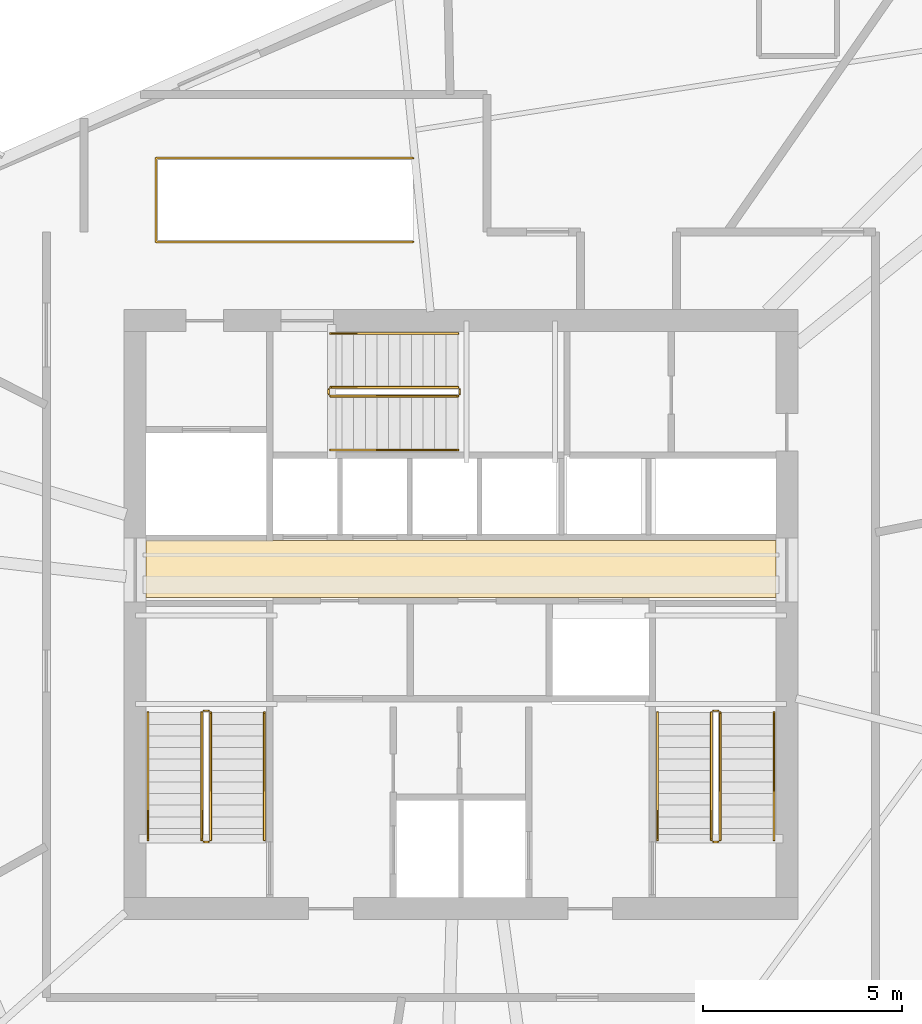
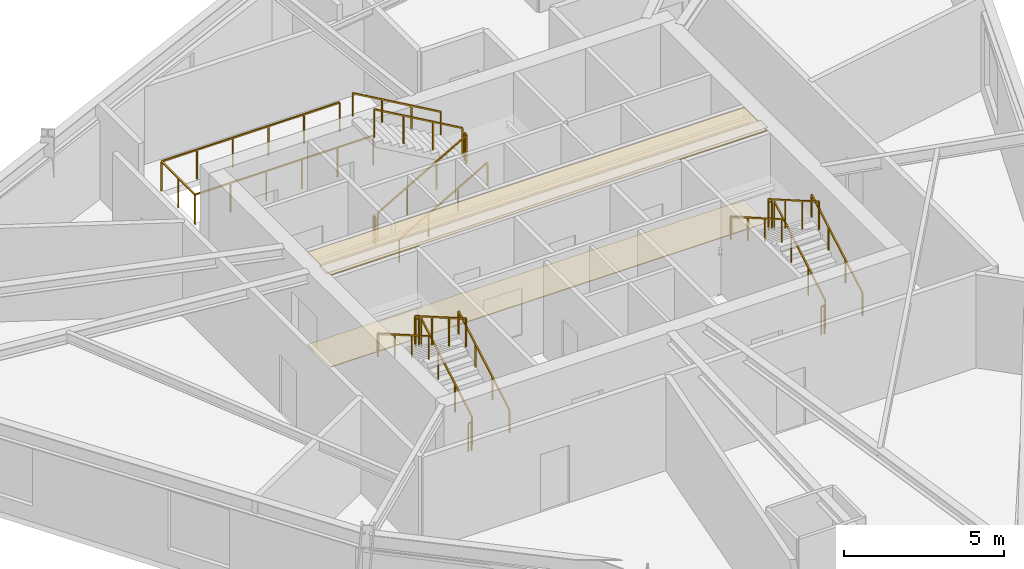
# One storey, part 13 of 13: 19 railings, 2 coverings.
"""IFC4 building model written with IfcOpenShell, lengths in metres."""

from ifc_helpers import new_model, si_unit, direction, frame, origin, origin_2d, place, context, subcontext, project, spatial, polyline, rectangle, outline, extrude, material, layer, layer_set, type_object, element, save


model = new_model("IFC4")

# Units and contexts
model_context = context("Model", 3, precision=1e-05, world=origin(), true_north=direction((0.0, 1.0)))
body_context = subcontext(model_context, "Body", "Model", "MODEL_VIEW")
ifc_project = project(units=[si_unit("LENGTHUNIT", "METRE"), si_unit("AREAUNIT", "SQUARE_METRE"), si_unit("VOLUMEUNIT", "CUBIC_METRE"), si_unit("PLANEANGLEUNIT", "RADIAN"), si_unit("MASSUNIT", "GRAM", prefix="KILO")], contexts=[model_context])

# Site, building, storey
site_placement = place(None, origin())
site = spatial("IfcSite", under=ifc_project, at=site_placement, CompositionType="ELEMENT")
building_placement = place(site_placement, origin())
building = spatial("IfcBuilding", under=site, at=building_placement, Name="Olszyna Solenne Hotel", CompositionType="ELEMENT")
storey_placement = place(building_placement, frame((0.0, 0.0, 200.300048828125)))
storey = spatial("IfcBuildingStorey", under=building, at=storey_placement, Name="L53", CompositionType="ELEMENT", Elevation=200.300048828125)

# Coverings
ifc_material_1 = material(Name="Mineral wool acoustic ceiling")
ifc_layer_1 = layer(ifc_material_1, 0.0400390625, Name="Mineral wool acoustic ceiling")
ifc_layer_set_1 = layer_set([ifc_layer_1], Name="Mineral wool acoustic ceiling")
covering_type_1 = type_object("IfcCoveringType", Name="CL-AC1", PredefinedType="CEILING", material=ifc_layer_set_1)
covering_1_placement = place(storey_placement, frame((0.0, 0.0, 3.52001953125)))
element("IfcCovering", 1, at=covering_1_placement, inside=storey, type_object=covering_type_1, Name="Lift lobby acoustic tile ceiling CL-L53-01", PredefinedType="CEILING", context=body_context, shape_type="SweptSolid", body=[
    extrude(outline(polyline([(30.10009765625, 27.030029296875), (45.89990234375, 27.030029296875), (45.89990234375, 28.4599609375), (30.10009765625, 28.4599609375), (30.10009765625, 27.030029296875)])), origin(), (0.0, 0.0, 1.0), 0.0400390625),
])
ifc_material_2 = material(Name="Ceramic floor tile")
ifc_layer_2 = layer(ifc_material_2, 0.030029296875, Name="Ceramic floor tile")
ifc_layer_set_2 = layer_set([ifc_layer_2], Name="Ceramic floor tile")
covering_type_2 = type_object("IfcCoveringType", Name="FL-TL1", PredefinedType="FLOORING", material=ifc_layer_set_2)
covering_2_placement = place(storey_placement, origin())
element("IfcCovering", 2, at=covering_2_placement, inside=storey, type_object=covering_type_2, Name="Lift lobby stoneware floor finish FLR-L53-01", PredefinedType="FLOORING", context=body_context, shape_type="SweptSolid", body=[
    extrude(outline(polyline([(30.10009765625, 27.030029296875), (45.89990234375, 27.030029296875), (45.89990234375, 28.4599609375), (30.10009765625, 28.4599609375), (30.10009765625, 27.030029296875)])), origin(), (0.0, 0.0, 1.0), 0.030029296875),
])

# Railings
ifc_material_3 = material(Name="Anodised bronze aluminium", Category="aluminium")
railing_type_1 = type_object("IfcRailingType", Name="GR-110", PredefinedType="BALUSTRADE", material=ifc_material_3)
railing_1_placement = place(storey_placement, frame((31.719970703125, 20.949951171875, 0.16650390625)))
element("IfcRailing", 3, at=railing_1_placement, inside=storey, type_object=railing_type_1, Name="L53 ST1 stair guard 1", PredefinedType="BALUSTRADE", context=body_context, shape_type="SweptSolid", body=[
    extrude(rectangle(XDim=0.048095703125, YDim=0.048095703125, at=origin_2d()), frame((0.0, 0.0, 1.076171875), z_axis=(0.0, 0.86699087805, 0.498324008431), x_axis=(-1.0, 0.0, 0.0)), (0.0, 0.0, 1.0), 3.679443359375),
    extrude(rectangle(XDim=0.0419921875, YDim=0.0419921875, at=origin_2d()), origin(), (0.0, 0.0, 1.0), 1.052001953125),
    extrude(rectangle(XDim=0.0419921875, YDim=0.0419921875, at=origin_2d()), frame((0.0, 1.063232421875, 0.611083984375)), (0.0, 0.0, 1.0), 1.052001953125),
    extrude(rectangle(XDim=0.0419921875, YDim=0.0419921875, at=origin_2d()), frame((0.0, 2.126708984375, 1.222412109375)), (0.0, 0.0, 1.0), 1.052001953125),
    extrude(rectangle(XDim=0.0419921875, YDim=0.0419921875, at=origin_2d()), frame((0.0, 3.18994140625, 1.83349609375)), (0.0, 0.0, 1.0), 1.052001953125),
])
railing_2_placement = place(storey_placement, frame((31.669921875, 24.18994140625, 2.0)))
element("IfcRailing", 4, at=railing_2_placement, inside=storey, type_object=railing_type_1, Name="L53 ST1 stair guard 2", PredefinedType="BALUSTRADE", context=body_context, shape_type="SweptSolid", body=[
    extrude(rectangle(XDim=0.048095703125, YDim=0.048095703125, at=origin_2d()), frame((0.0, 0.0, 1.076171875), z_axis=(-1.0, 0.0, 0.0), x_axis=(0.0, -1.0, 0.0)), (0.0, 0.0, 1.0), 0.119873046875),
    extrude(rectangle(XDim=0.0419921875, YDim=0.0419921875, at=origin_2d()), origin(), (0.0, 0.0, 1.0), 1.052001953125),
    extrude(rectangle(XDim=0.0419921875, YDim=0.0419921875, at=origin_2d()), frame((-0.119873046875, 0.0, 0.0)), (0.0, 0.0, 1.0), 1.052001953125),
])
railing_3_placement = place(storey_placement, frame((31.5, 24.139892578125, 2.16650390625)))
element("IfcRailing", 5, at=railing_3_placement, inside=storey, type_object=railing_type_1, Name="L53 ST1 stair guard 3", PredefinedType="BALUSTRADE", context=body_context, shape_type="SweptSolid", body=[
    extrude(rectangle(XDim=0.048095703125, YDim=0.048095703125, at=origin_2d()), frame((0.0, 0.0, 1.076171875), z_axis=(0.0, -0.86699087805, 0.498324008431), x_axis=(1.0, 0.0, 0.0)), (0.0, 0.0, 1.0), 3.679443359375),
    extrude(rectangle(XDim=0.0419921875, YDim=0.0419921875, at=origin_2d()), origin(), (0.0, 0.0, 1.0), 1.052001953125),
    extrude(rectangle(XDim=0.0419921875, YDim=0.0419921875, at=origin_2d()), frame((0.0, -1.063232421875, 0.611083984375)), (0.0, 0.0, 1.0), 1.052001953125),
    extrude(rectangle(XDim=0.0419921875, YDim=0.0419921875, at=origin_2d()), frame((0.0, -2.126708984375, 1.222412109375)), (0.0, 0.0, 1.0), 1.052001953125),
    extrude(rectangle(XDim=0.0419921875, YDim=0.0419921875, at=origin_2d()), frame((0.0, -3.18994140625, 1.83349609375)), (0.0, 0.0, 1.0), 1.052001953125),
])
railing_4_placement = place(storey_placement, frame((31.669921875, 20.89990234375, 0.0)))
element("IfcRailing", 6, at=railing_4_placement, inside=storey, type_object=railing_type_1, Name="L53 ST1 stair guard 4", PredefinedType="BALUSTRADE", context=body_context, shape_type="SweptSolid", body=[
    extrude(rectangle(XDim=0.048095703125, YDim=0.048095703125, at=origin_2d()), frame((0.0, 0.0, 1.076171875), z_axis=(-1.0, 0.0, 0.0), x_axis=(0.0, -1.0, 0.0)), (0.0, 0.0, 1.0), 0.119873046875),
    extrude(rectangle(XDim=0.0419921875, YDim=0.0419921875, at=origin_2d()), origin(), (0.0, 0.0, 1.0), 1.052001953125),
    extrude(rectangle(XDim=0.0419921875, YDim=0.0419921875, at=origin_2d()), frame((-0.119873046875, 0.0, 0.0)), (0.0, 0.0, 1.0), 1.052001953125),
])
railing_5_placement = place(storey_placement, frame((44.5, 20.949951171875, 0.16650390625)))
element("IfcRailing", 7, at=railing_5_placement, inside=storey, type_object=railing_type_1, Name="L53 ST2 stair guard 1", PredefinedType="BALUSTRADE", context=body_context, shape_type="SweptSolid", body=[
    extrude(rectangle(XDim=0.048095703125, YDim=0.048095703125, at=origin_2d()), frame((0.0, 0.0, 1.076171875), z_axis=(0.0, 0.86699087805, 0.498324008431), x_axis=(-1.0, 0.0, 0.0)), (0.0, 0.0, 1.0), 3.679443359375),
    extrude(rectangle(XDim=0.0419921875, YDim=0.0419921875, at=origin_2d()), origin(), (0.0, 0.0, 1.0), 1.052001953125),
    extrude(rectangle(XDim=0.0419921875, YDim=0.0419921875, at=origin_2d()), frame((0.0, 1.063232421875, 0.611083984375)), (0.0, 0.0, 1.0), 1.052001953125),
    extrude(rectangle(XDim=0.0419921875, YDim=0.0419921875, at=origin_2d()), frame((0.0, 2.126708984375, 1.222412109375)), (0.0, 0.0, 1.0), 1.052001953125),
    extrude(rectangle(XDim=0.0419921875, YDim=0.0419921875, at=origin_2d()), frame((0.0, 3.18994140625, 1.83349609375)), (0.0, 0.0, 1.0), 1.052001953125),
])
railing_6_placement = place(storey_placement, frame((44.449951171875, 24.18994140625, 2.0)))
element("IfcRailing", 8, at=railing_6_placement, inside=storey, type_object=railing_type_1, Name="L53 ST2 stair guard 2", PredefinedType="BALUSTRADE", context=body_context, shape_type="SweptSolid", body=[
    extrude(rectangle(XDim=0.048095703125, YDim=0.048095703125, at=origin_2d()), frame((0.0, 0.0, 1.076171875), z_axis=(-1.0, 0.0, 0.0), x_axis=(0.0, -1.0, 0.0)), (0.0, 0.0, 1.0), 0.119873046875),
    extrude(rectangle(XDim=0.0419921875, YDim=0.0419921875, at=origin_2d()), origin(), (0.0, 0.0, 1.0), 1.052001953125),
    extrude(rectangle(XDim=0.0419921875, YDim=0.0419921875, at=origin_2d()), frame((-0.119873046875, 0.0, 0.0)), (0.0, 0.0, 1.0), 1.052001953125),
])
railing_7_placement = place(storey_placement, frame((44.280029296875, 24.139892578125, 2.16650390625)))
element("IfcRailing", 9, at=railing_7_placement, inside=storey, type_object=railing_type_1, Name="L53 ST2 stair guard 3", PredefinedType="BALUSTRADE", context=body_context, shape_type="SweptSolid", body=[
    extrude(rectangle(XDim=0.048095703125, YDim=0.048095703125, at=origin_2d()), frame((0.0, 0.0, 1.076171875), z_axis=(0.0, -0.86699087805, 0.498324008431), x_axis=(1.0, 0.0, 0.0)), (0.0, 0.0, 1.0), 3.679443359375),
    extrude(rectangle(XDim=0.0419921875, YDim=0.0419921875, at=origin_2d()), origin(), (0.0, 0.0, 1.0), 1.052001953125),
    extrude(rectangle(XDim=0.0419921875, YDim=0.0419921875, at=origin_2d()), frame((0.0, -1.063232421875, 0.611083984375)), (0.0, 0.0, 1.0), 1.052001953125),
    extrude(rectangle(XDim=0.0419921875, YDim=0.0419921875, at=origin_2d()), frame((0.0, -2.126708984375, 1.222412109375)), (0.0, 0.0, 1.0), 1.052001953125),
    extrude(rectangle(XDim=0.0419921875, YDim=0.0419921875, at=origin_2d()), frame((0.0, -3.18994140625, 1.83349609375)), (0.0, 0.0, 1.0), 1.052001953125),
])
railing_8_placement = place(storey_placement, frame((44.449951171875, 20.89990234375, 0.0)))
element("IfcRailing", 10, at=railing_8_placement, inside=storey, type_object=railing_type_1, Name="L53 ST2 stair guard 4", PredefinedType="BALUSTRADE", context=body_context, shape_type="SweptSolid", body=[
    extrude(rectangle(XDim=0.048095703125, YDim=0.048095703125, at=origin_2d()), frame((0.0, 0.0, 1.076171875), z_axis=(-1.0, 0.0, 0.0), x_axis=(0.0, -1.0, 0.0)), (0.0, 0.0, 1.0), 0.119873046875),
    extrude(rectangle(XDim=0.0419921875, YDim=0.0419921875, at=origin_2d()), origin(), (0.0, 0.0, 1.0), 1.052001953125),
    extrude(rectangle(XDim=0.0419921875, YDim=0.0419921875, at=origin_2d()), frame((-0.119873046875, 0.0, 0.0)), (0.0, 0.0, 1.0), 1.052001953125),
])
railing_9_placement = place(storey_placement, frame((34.72998046875, 32.080078125, 0.16650390625)))
element("IfcRailing", 11, at=railing_9_placement, inside=storey, type_object=railing_type_1, Name="L53 ST3 stair guard 1", PredefinedType="BALUSTRADE", context=body_context, shape_type="SweptSolid", body=[
    extrude(rectangle(XDim=0.048095703125, YDim=0.048095703125, at=origin_2d()), frame((0.0, 0.0, 1.076171875), z_axis=(0.86699087805, 0.0, 0.498324008431), x_axis=(0.0, 1.0, 0.0)), (0.0, 0.0, 1.0), 3.679443359375),
    extrude(rectangle(XDim=0.0419921875, YDim=0.0419921875, at=origin_2d()), origin(), (0.0, 0.0, 1.0), 1.052001953125),
    extrude(rectangle(XDim=0.0419921875, YDim=0.0419921875, at=origin_2d()), frame((1.063232421875, 0.0, 0.611083984375)), (0.0, 0.0, 1.0), 1.052001953125),
    extrude(rectangle(XDim=0.0419921875, YDim=0.0419921875, at=origin_2d()), frame((2.126708984375, 0.0, 1.222412109375)), (0.0, 0.0, 1.0), 1.052001953125),
    extrude(rectangle(XDim=0.0419921875, YDim=0.0419921875, at=origin_2d()), frame((3.18994140625, 0.0, 1.83349609375)), (0.0, 0.0, 1.0), 1.052001953125),
])
railing_10_placement = place(storey_placement, frame((37.969970703125, 32.1298828125, 2.0)))
element("IfcRailing", 12, at=railing_10_placement, inside=storey, type_object=railing_type_1, Name="L53 ST3 stair guard 2", PredefinedType="BALUSTRADE", context=body_context, shape_type="SweptSolid", body=[
    extrude(rectangle(XDim=0.048095703125, YDim=0.048095703125, at=origin_2d()), frame((0.0, 0.0, 1.076171875), z_axis=(0.0, 1.0, 0.0), x_axis=(-1.0, 0.0, 0.0)), (0.0, 0.0, 1.0), 0.1201171875),
    extrude(rectangle(XDim=0.0419921875, YDim=0.0419921875, at=origin_2d()), origin(), (0.0, 0.0, 1.0), 1.052001953125),
    extrude(rectangle(XDim=0.0419921875, YDim=0.0419921875, at=origin_2d()), frame((0.0, 0.1201171875, 0.0)), (0.0, 0.0, 1.0), 1.052001953125),
])
railing_11_placement = place(storey_placement, frame((37.919921875, 32.300048828125, 2.16650390625)))
element("IfcRailing", 13, at=railing_11_placement, inside=storey, type_object=railing_type_1, Name="L53 ST3 stair guard 3", PredefinedType="BALUSTRADE", context=body_context, shape_type="SweptSolid", body=[
    extrude(rectangle(XDim=0.048095703125, YDim=0.048095703125, at=origin_2d()), frame((0.0, 0.0, 1.076171875), z_axis=(-0.86699087805, 0.0, 0.498324008431), x_axis=(0.0, -1.0, 0.0)), (0.0, 0.0, 1.0), 3.679443359375),
    extrude(rectangle(XDim=0.0419921875, YDim=0.0419921875, at=origin_2d()), origin(), (0.0, 0.0, 1.0), 1.052001953125),
    extrude(rectangle(XDim=0.0419921875, YDim=0.0419921875, at=origin_2d()), frame((-1.063232421875, 0.0, 0.611083984375)), (0.0, 0.0, 1.0), 1.052001953125),
    extrude(rectangle(XDim=0.0419921875, YDim=0.0419921875, at=origin_2d()), frame((-2.126708984375, 0.0, 1.222412109375)), (0.0, 0.0, 1.0), 1.052001953125),
    extrude(rectangle(XDim=0.0419921875, YDim=0.0419921875, at=origin_2d()), frame((-3.18994140625, 0.0, 1.83349609375)), (0.0, 0.0, 1.0), 1.052001953125),
])
railing_12_placement = place(storey_placement, frame((34.679931640625, 32.1298828125, 0.0)))
element("IfcRailing", 14, at=railing_12_placement, inside=storey, type_object=railing_type_1, Name="L53 ST3 stair guard 4", PredefinedType="BALUSTRADE", context=body_context, shape_type="SweptSolid", body=[
    extrude(rectangle(XDim=0.048095703125, YDim=0.048095703125, at=origin_2d()), frame((0.0, 0.0, 1.076171875), z_axis=(0.0, 1.0, 0.0), x_axis=(-1.0, 0.0, 0.0)), (0.0, 0.0, 1.0), 0.1201171875),
    extrude(rectangle(XDim=0.0419921875, YDim=0.0419921875, at=origin_2d()), origin(), (0.0, 0.0, 1.0), 1.052001953125),
    extrude(rectangle(XDim=0.0419921875, YDim=0.0419921875, at=origin_2d()), frame((0.0, 0.1201171875, 0.0)), (0.0, 0.0, 1.0), 1.052001953125),
])
railing_13_placement = place(storey_placement, frame((36.800048828125, 35.949951171875, 0.0)))
element("IfcRailing", 15, at=railing_13_placement, inside=storey, type_object=railing_type_1, Name="Atrium stair well guard balustrade GR-L53-VD", PredefinedType="BALUSTRADE", context=body_context, shape_type="SweptSolid", body=[
    extrude(rectangle(XDim=0.048095703125, YDim=0.048095703125, at=origin_2d()), frame((0.0, 0.0, 1.1259765625), z_axis=(-1.0, 0.0, 0.0), x_axis=(0.0, -1.0, 0.0)), (0.0, 0.0, 1.0), 6.449951171875),
    extrude(rectangle(XDim=0.048095703125, YDim=0.048095703125, at=origin_2d()), frame((-6.449951171875, 0.0, 1.1259765625), z_axis=(0.0, 1.0, 0.0), x_axis=(-1.0, 0.0, 0.0)), (0.0, 0.0, 1.0), 2.10009765625),
    extrude(rectangle(XDim=0.048095703125, YDim=0.048095703125, at=origin_2d()), frame((-6.449951171875, 2.10009765625, 1.1259765625), z_axis=(1.0, 0.0, 0.0), x_axis=(0.0, 1.0, 0.0)), (0.0, 0.0, 1.0), 6.449951171875),
    extrude(rectangle(XDim=0.0419921875, YDim=0.0419921875, at=origin_2d()), origin(), (0.0, 0.0, 1.0), 1.101806640625),
    extrude(rectangle(XDim=0.0419921875, YDim=0.0419921875, at=origin_2d()), frame((-1.2900390625, 0.0, 0.0)), (0.0, 0.0, 1.0), 1.101806640625),
    extrude(rectangle(XDim=0.0419921875, YDim=0.0419921875, at=origin_2d()), frame((-2.580078125, 0.0, 0.0)), (0.0, 0.0, 1.0), 1.101806640625),
    extrude(rectangle(XDim=0.0419921875, YDim=0.0419921875, at=origin_2d()), frame((-3.869873046875, 0.0, 0.0)), (0.0, 0.0, 1.0), 1.101806640625),
    extrude(rectangle(XDim=0.0419921875, YDim=0.0419921875, at=origin_2d()), frame((-5.159912109375, 0.0, 0.0)), (0.0, 0.0, 1.0), 1.101806640625),
    extrude(rectangle(XDim=0.0419921875, YDim=0.0419921875, at=origin_2d()), frame((-6.449951171875, 0.0, 0.0)), (0.0, 0.0, 1.0), 1.101806640625),
    extrude(rectangle(XDim=0.0419921875, YDim=0.0419921875, at=origin_2d()), frame((-6.449951171875, 1.050048828125, 0.0)), (0.0, 0.0, 1.0), 1.101806640625),
    extrude(rectangle(XDim=0.0419921875, YDim=0.0419921875, at=origin_2d()), frame((-6.449951171875, 2.10009765625, 0.0)), (0.0, 0.0, 1.0), 1.101806640625),
    extrude(rectangle(XDim=0.0419921875, YDim=0.0419921875, at=origin_2d()), frame((-5.159912109375, 2.10009765625, 0.0)), (0.0, 0.0, 1.0), 1.101806640625),
    extrude(rectangle(XDim=0.0419921875, YDim=0.0419921875, at=origin_2d()), frame((-3.869873046875, 2.10009765625, 0.0)), (0.0, 0.0, 1.0), 1.101806640625),
    extrude(rectangle(XDim=0.0419921875, YDim=0.0419921875, at=origin_2d()), frame((-2.580078125, 2.10009765625, 0.0)), (0.0, 0.0, 1.0), 1.101806640625),
    extrude(rectangle(XDim=0.0419921875, YDim=0.0419921875, at=origin_2d()), frame((-1.2900390625, 2.10009765625, 0.0)), (0.0, 0.0, 1.0), 1.101806640625),
    extrude(rectangle(XDim=0.0419921875, YDim=0.0419921875, at=origin_2d()), frame((0.0, 2.10009765625, 0.0)), (0.0, 0.0, 1.0), 1.101806640625),
])
ifc_material_4 = material(Name="Steel S355J2", Category="steel")
railing_type_2 = type_object("IfcRailingType", Name="HR-090", PredefinedType="HANDRAIL", material=ifc_material_4)
railing_14_placement = place(storey_placement, frame((33.070068359375, 20.949951171875, 0.16650390625)))
element("IfcRailing", 16, at=railing_14_placement, inside=storey, type_object=railing_type_2, Name="L53 ST1 stair handrail 1", PredefinedType="HANDRAIL", context=body_context, shape_type="SweptSolid", body=[
    extrude(rectangle(XDim=0.048095703125, YDim=0.048095703125, at=origin_2d()), frame((0.0, 0.0, 0.8759765625), z_axis=(0.0, 0.86699087805, 0.498324008431), x_axis=(-1.0, 0.0, 0.0)), (0.0, 0.0, 1.0), 3.679443359375),
    extrude(rectangle(XDim=0.0419921875, YDim=0.0419921875, at=origin_2d()), origin(), (0.0, 0.0, 1.0), 0.851806640625),
    extrude(rectangle(XDim=0.0419921875, YDim=0.0419921875, at=origin_2d()), frame((0.0, 1.063232421875, 0.611083984375)), (0.0, 0.0, 1.0), 0.851806640625),
    extrude(rectangle(XDim=0.0419921875, YDim=0.0419921875, at=origin_2d()), frame((0.0, 2.126708984375, 1.222412109375)), (0.0, 0.0, 1.0), 0.851806640625),
    extrude(rectangle(XDim=0.0419921875, YDim=0.0419921875, at=origin_2d()), frame((0.0, 3.18994140625, 1.83349609375)), (0.0, 0.0, 1.0), 0.851806640625),
])
railing_15_placement = place(storey_placement, frame((30.14990234375, 24.139892578125, 2.16650390625)))
element("IfcRailing", 17, at=railing_15_placement, inside=storey, type_object=railing_type_2, Name="L53 ST1 stair handrail 2", PredefinedType="HANDRAIL", context=body_context, shape_type="SweptSolid", body=[
    extrude(rectangle(XDim=0.048095703125, YDim=0.048095703125, at=origin_2d()), frame((0.0, 0.0, 0.8759765625), z_axis=(0.0, -0.86699087805, 0.498324008431), x_axis=(1.0, 0.0, 0.0)), (0.0, 0.0, 1.0), 3.679443359375),
    extrude(rectangle(XDim=0.0419921875, YDim=0.0419921875, at=origin_2d()), origin(), (0.0, 0.0, 1.0), 0.851806640625),
    extrude(rectangle(XDim=0.0419921875, YDim=0.0419921875, at=origin_2d()), frame((0.0, -1.063232421875, 0.611083984375)), (0.0, 0.0, 1.0), 0.851806640625),
    extrude(rectangle(XDim=0.0419921875, YDim=0.0419921875, at=origin_2d()), frame((0.0, -2.126708984375, 1.222412109375)), (0.0, 0.0, 1.0), 0.851806640625),
    extrude(rectangle(XDim=0.0419921875, YDim=0.0419921875, at=origin_2d()), frame((0.0, -3.18994140625, 1.83349609375)), (0.0, 0.0, 1.0), 0.851806640625),
])
railing_16_placement = place(storey_placement, frame((45.85009765625, 20.949951171875, 0.16650390625)))
element("IfcRailing", 18, at=railing_16_placement, inside=storey, type_object=railing_type_2, Name="L53 ST2 stair handrail 1", PredefinedType="HANDRAIL", context=body_context, shape_type="SweptSolid", body=[
    extrude(rectangle(XDim=0.048095703125, YDim=0.048095703125, at=origin_2d()), frame((0.0, 0.0, 0.8759765625), z_axis=(0.0, 0.86699087805, 0.498324008431), x_axis=(-1.0, 0.0, 0.0)), (0.0, 0.0, 1.0), 3.679443359375),
    extrude(rectangle(XDim=0.0419921875, YDim=0.0419921875, at=origin_2d()), origin(), (0.0, 0.0, 1.0), 0.851806640625),
    extrude(rectangle(XDim=0.0419921875, YDim=0.0419921875, at=origin_2d()), frame((0.0, 1.063232421875, 0.611083984375)), (0.0, 0.0, 1.0), 0.851806640625),
    extrude(rectangle(XDim=0.0419921875, YDim=0.0419921875, at=origin_2d()), frame((0.0, 2.126708984375, 1.222412109375)), (0.0, 0.0, 1.0), 0.851806640625),
    extrude(rectangle(XDim=0.0419921875, YDim=0.0419921875, at=origin_2d()), frame((0.0, 3.18994140625, 1.83349609375)), (0.0, 0.0, 1.0), 0.851806640625),
])
railing_17_placement = place(storey_placement, frame((42.929931640625, 24.139892578125, 2.16650390625)))
element("IfcRailing", 19, at=railing_17_placement, inside=storey, type_object=railing_type_2, Name="L53 ST2 stair handrail 2", PredefinedType="HANDRAIL", context=body_context, shape_type="SweptSolid", body=[
    extrude(rectangle(XDim=0.048095703125, YDim=0.048095703125, at=origin_2d()), frame((0.0, 0.0, 0.8759765625), z_axis=(0.0, -0.86699087805, 0.498324008431), x_axis=(1.0, 0.0, 0.0)), (0.0, 0.0, 1.0), 3.679443359375),
    extrude(rectangle(XDim=0.0419921875, YDim=0.0419921875, at=origin_2d()), origin(), (0.0, 0.0, 1.0), 0.851806640625),
    extrude(rectangle(XDim=0.0419921875, YDim=0.0419921875, at=origin_2d()), frame((0.0, -1.063232421875, 0.611083984375)), (0.0, 0.0, 1.0), 0.851806640625),
    extrude(rectangle(XDim=0.0419921875, YDim=0.0419921875, at=origin_2d()), frame((0.0, -2.126708984375, 1.222412109375)), (0.0, 0.0, 1.0), 0.851806640625),
    extrude(rectangle(XDim=0.0419921875, YDim=0.0419921875, at=origin_2d()), frame((0.0, -3.18994140625, 1.83349609375)), (0.0, 0.0, 1.0), 0.851806640625),
])
railing_18_placement = place(storey_placement, frame((34.72998046875, 30.72998046875, 0.16650390625)))
element("IfcRailing", 20, at=railing_18_placement, inside=storey, type_object=railing_type_2, Name="L53 ST3 stair handrail 1", PredefinedType="HANDRAIL", context=body_context, shape_type="SweptSolid", body=[
    extrude(rectangle(XDim=0.048095703125, YDim=0.048095703125, at=origin_2d()), frame((0.0, 0.0, 0.8759765625), z_axis=(0.86699087805, 0.0, 0.498324008431), x_axis=(0.0, 1.0, 0.0)), (0.0, 0.0, 1.0), 3.679443359375),
    extrude(rectangle(XDim=0.0419921875, YDim=0.0419921875, at=origin_2d()), origin(), (0.0, 0.0, 1.0), 0.851806640625),
    extrude(rectangle(XDim=0.0419921875, YDim=0.0419921875, at=origin_2d()), frame((1.063232421875, 0.0, 0.611083984375)), (0.0, 0.0, 1.0), 0.851806640625),
    extrude(rectangle(XDim=0.0419921875, YDim=0.0419921875, at=origin_2d()), frame((2.126708984375, 0.0, 1.222412109375)), (0.0, 0.0, 1.0), 0.851806640625),
    extrude(rectangle(XDim=0.0419921875, YDim=0.0419921875, at=origin_2d()), frame((3.18994140625, 0.0, 1.83349609375)), (0.0, 0.0, 1.0), 0.851806640625),
])
railing_19_placement = place(storey_placement, frame((37.919921875, 33.64990234375, 2.16650390625)))
element("IfcRailing", 21, at=railing_19_placement, inside=storey, type_object=railing_type_2, Name="L53 ST3 stair handrail 2", PredefinedType="HANDRAIL", context=body_context, shape_type="SweptSolid", body=[
    extrude(rectangle(XDim=0.048095703125, YDim=0.048095703125, at=origin_2d()), frame((0.0, 0.0, 0.8759765625), z_axis=(-0.86699087805, 0.0, 0.498324008431), x_axis=(0.0, -1.0, 0.0)), (0.0, 0.0, 1.0), 3.679443359375),
    extrude(rectangle(XDim=0.0419921875, YDim=0.0419921875, at=origin_2d()), origin(), (0.0, 0.0, 1.0), 0.851806640625),
    extrude(rectangle(XDim=0.0419921875, YDim=0.0419921875, at=origin_2d()), frame((-1.063232421875, 0.0, 0.611083984375)), (0.0, 0.0, 1.0), 0.851806640625),
    extrude(rectangle(XDim=0.0419921875, YDim=0.0419921875, at=origin_2d()), frame((-2.126708984375, 0.0, 1.222412109375)), (0.0, 0.0, 1.0), 0.851806640625),
    extrude(rectangle(XDim=0.0419921875, YDim=0.0419921875, at=origin_2d()), frame((-3.18994140625, 0.0, 1.83349609375)), (0.0, 0.0, 1.0), 0.851806640625),
])

save(model, "model.ifc")
